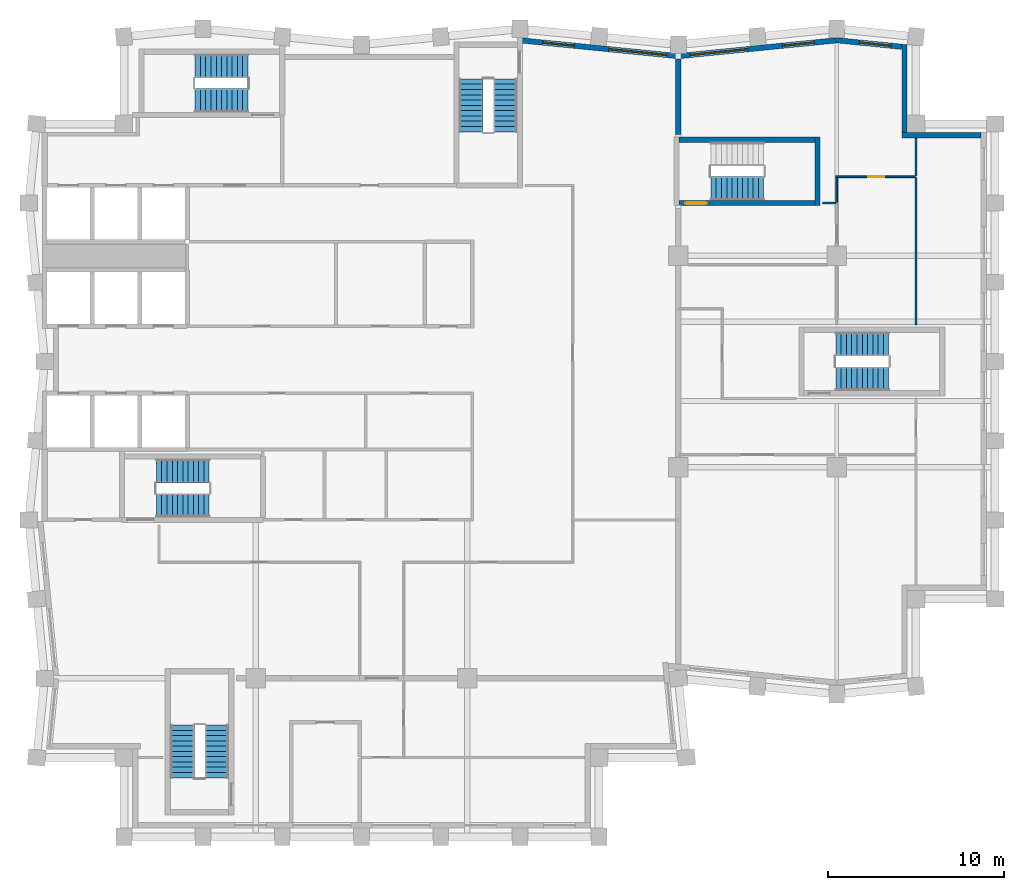
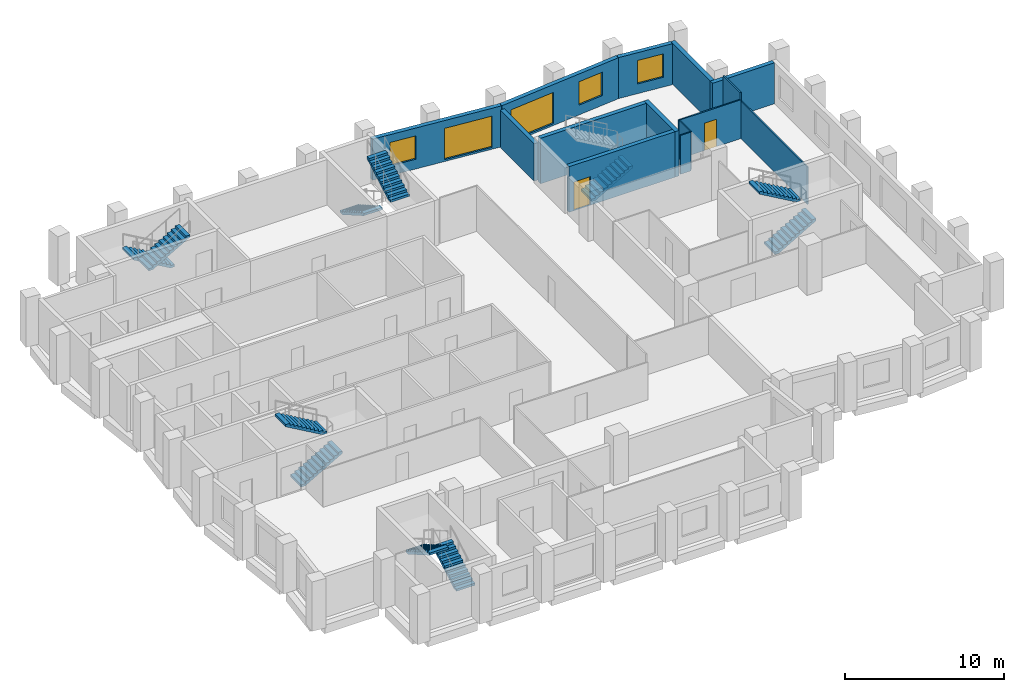
# One storey, part 6 of 8: 14 walls, 11 stair flights, 5 windows, 2 doors, 7 openings, 6 elements without a shape of their own.
"""IFC4 building model written with IfcOpenShell, lengths in metres."""

from ifc_helpers import new_model, si_unit, direction, frame, frame_2d, origin, place, context, subcontext, project, spatial, polyline, rectangle, outline, extrude, material, layer, layer_set, type_object, element, fill, aggregate, save


model = new_model("IFC4")

# Units and contexts
model_context = context("Model", 3, precision=1e-05, world=origin(), true_north=direction((0.0, 1.0)))
body_context = subcontext(model_context, "Body", "Model", "MODEL_VIEW")
ifc_project = project(units=[si_unit("LENGTHUNIT", "METRE"), si_unit("AREAUNIT", "SQUARE_METRE"), si_unit("VOLUMEUNIT", "CUBIC_METRE"), si_unit("PLANEANGLEUNIT", "RADIAN"), si_unit("MASSUNIT", "GRAM", prefix="KILO")], contexts=[model_context])

# Site, building, storey
site_placement = place(None, origin())
site = spatial("IfcSite", under=ifc_project, at=site_placement, CompositionType="ELEMENT")
building_placement = place(site_placement, origin())
building = spatial("IfcBuilding", under=site, at=building_placement, Name="Brondeck Convention Tower", CompositionType="ELEMENT")
storey_placement = place(building_placement, frame((0.0, 0.0, 233.0)))
storey = spatial("IfcBuildingStorey", under=building, at=storey_placement, Name="L57", CompositionType="ELEMENT", Elevation=233.0)

# Walls
ifc_material_1 = material(Name="Concrete compartment wall C30/37", Category="concrete")
ifc_layer_1 = layer(ifc_material_1, 0.300048828125)
ifc_layer_set_1 = layer_set([ifc_layer_1], Name="Compartment wall 300")
wall_type_1 = type_object("IfcWallType", Name="Compartment wall 300", PredefinedType="PARTITIONING", material=ifc_layer_set_1)
wall_1_placement = place(storey_placement, frame((36.0, 57.89990234375, 0.0), z_axis=(0.0, 0.0, 1.0), x_axis=(0.0, 1.0, 0.0)))
element("IfcWall", 1, at=wall_1_placement, inside=storey, type_object=wall_type_1, Name="FLR-L57-W049", PredefinedType="PARTITIONING", context=body_context, shape_type="SweptSolid", body=[
    extrude(rectangle(XDim=4.2763671875, YDim=0.300048828125, at=frame_2d((2.13818359375, 0.0))), origin(), (0.0, 0.0, 1.0), 2.8798828125),
])
ifc_material_2 = material(Name="Precast concrete C50/60 bronze finish", Category="concrete")
ifc_layer_2 = layer(ifc_material_2, 0.070068359375, Name="Bronze precast facing")
ifc_material_3 = material(Name="Mineral wool")
ifc_layer_3 = layer(ifc_material_3, 0.159912109375, Name="Insulation")
ifc_material_4 = material(Name="Concrete C35/45", Category="concrete")
ifc_layer_4 = layer(ifc_material_4, 0.070068359375, Name="Backing")
ifc_layer_set_2 = layer_set([ifc_layer_2, ifc_layer_3, ifc_layer_4], Name="External infill wall, precast concrete C50/60 bronze facing")
wall_type_2 = type_object("IfcWallType", Name="External infill wall, precast concrete C50/60 bronze facing", PredefinedType="SOLIDWALL", material=ifc_layer_set_2)
wall_2_placement = place(storey_placement, frame((48.699951171875, 57.85009765625, 0.0), z_axis=(0.0, 0.0, 1.0), x_axis=(1.0, 0.0, 0.0)))
element("IfcWall", 2, at=wall_2_placement, inside=storey, type_object=wall_type_2, Name="ENV-EW-L57-P2-NC-NEA54-01", PredefinedType="SOLIDWALL", context=body_context, shape_type="SweptSolid", body=[
    extrude(rectangle(XDim=4.501953125, YDim=0.300048828125, at=frame_2d((2.2509765625, 0.0))), origin(), (0.0, 0.0, 1.0), 3.14990234375),
])
wall_3_placement = place(storey_placement, frame((48.85009765625, 62.99755859375, 0.0), z_axis=(0.0, 0.0, 1.0), x_axis=(0.0, -1.0, 0.0)))
element("IfcWall", 3, at=wall_3_placement, inside=storey, type_object=wall_type_2, Name="ENV-EW-L57-P2-NC-NEA54-02", PredefinedType="SOLIDWALL", context=body_context, shape_type="SweptSolid", body=[
    extrude(rectangle(XDim=4.99951171875, YDim=0.300048828125, at=frame_2d((2.499755859375, 0.0))), origin(), (0.0, 0.0, 1.0), 3.14990234375),
])

# Wall, opening, window
wall_4_placement = place(storey_placement, frame((44.985107421875, 63.248291015625, 0.0), z_axis=(0.0, 0.0, 1.0), x_axis=(0.995037837869, -0.099497242219, 0.0)))
wall_4 = element("IfcWall", 4, at=wall_4_placement, inside=storey, type_object=wall_type_2, Name="ENV-EW-L57-P2-A-N-10", PredefinedType="SOLIDWALL", context=body_context, shape_type="SweptSolid", body=[
    extrude(rectangle(XDim=3.732177734375, YDim=0.300048828125, at=frame_2d((1.8662109375, 0.0))), origin(), (0.0, 0.0, 1.0), 3.14990234375),
])
opening_1_placement = place(wall_4_placement, frame((1.311279296875, 0.0, 0.75)))
opening_1 = element("IfcOpeningElement", 5, at=opening_1_placement, cuts=wall_4, Name="Opening W10", PredefinedType="OPENING", context=body_context, shape_type="SweptSolid", body=[
    extrude(rectangle(XDim=1.800048828125, YDim=1.800048828125, at=frame_2d((0.89990234375, 0.89990234375))), frame((0.0, 0.159912109375, 0.0), z_axis=(0.0, -1.0, 0.0), x_axis=(1.0, 0.0, 0.0)), (0.0, 0.0, 1.0), 0.320068359375),
])
ifc_material_5 = material(Name="Bronze tinted double glazing", Category="glass")
window_type_1 = type_object("IfcWindowType", Name="Punched window, bronze tinted", PartitioningType="SINGLE_PANEL", PredefinedType="WINDOW", material=ifc_material_5)
window_1_placement = place(opening_1_placement, origin())
window_1 = element("IfcWindow", 6, at=window_1_placement, inside=storey, type_object=window_type_1, Name="ENV-WN-L57-P2-A-N-10", OverallHeight=1.800048828125, OverallWidth=1.800048828125, PartitioningType="SINGLE_PANEL", PredefinedType="WINDOW", context=body_context, shape_type="SweptSolid", body=[
    extrude(rectangle(XDim=1.800048828125, YDim=1.800048828125, at=frame_2d((0.89990234375, 0.89990234375))), frame((0.0, 0.030029296875, 0.0), z_axis=(0.0, -1.0, 0.0), x_axis=(1.0, 0.0, 0.0)), (0.0, 0.0, 1.0), 0.06005859375),
])
fill(opening_1, window_1)

# Wall, openings, windows
wall_5_placement = place(storey_placement, frame((35.985107421875, 62.34521484375, 0.0), z_axis=(0.0, 0.0, 1.0), x_axis=(0.995035316196, 0.099522457379, 0.0)))
wall_5 = element("IfcWall", 7, at=wall_5_placement, inside=storey, type_object=wall_type_2, Name="ENV-EW-L57-P2-A-N-09", PredefinedType="SOLIDWALL", context=body_context, shape_type="SweptSolid", body=[
    extrude(rectangle(XDim=9.030029296875, YDim=0.300048828125, at=frame_2d((4.51513671875, 0.0))), origin(), (0.0, 0.0, 1.0), 3.14990234375),
])
opening_2_placement = place(wall_5_placement, frame((0.691162109375, 0.0, 0.14990234375)))
opening_2 = element("IfcOpeningElement", 8, at=opening_2_placement, cuts=wall_5, Name="Opening W9", PredefinedType="OPENING", context=body_context, shape_type="SweptSolid", body=[
    extrude(rectangle(XDim=3.300048828125, YDim=2.39990234375, at=frame_2d((1.64990234375, 1.199951171875))), frame((0.0, 0.159912109375, 0.0), z_axis=(0.0, -1.0, 0.0), x_axis=(1.0, 0.0, 0.0)), (0.0, 0.0, 1.0), 0.320068359375),
])
opening_3_placement = place(wall_5_placement, frame((5.963623046875, 0.0, 0.75)))
opening_3 = element("IfcOpeningElement", 9, at=opening_3_placement, cuts=wall_5, Name="Opening W10", PredefinedType="OPENING", context=body_context, shape_type="SweptSolid", body=[
    extrude(rectangle(XDim=1.800048828125, YDim=1.800048828125, at=frame_2d((0.89990234375, 0.89990234375))), frame((0.0, 0.159912109375, 0.0), z_axis=(0.0, -1.0, 0.0), x_axis=(1.0, 0.0, 0.0)), (0.0, 0.0, 1.0), 0.320068359375),
])
window_type_2 = type_object("IfcWindowType", Name="Glazed flute window, bronze tinted", PartitioningType="SINGLE_PANEL", PredefinedType="WINDOW", material=ifc_material_5)
window_2_placement = place(opening_2_placement, origin())
window_2 = element("IfcWindow", 10, at=window_2_placement, inside=storey, type_object=window_type_2, Name="ENV-WN-L57-P2-A-N-08", OverallHeight=2.39990234375, OverallWidth=3.300048828125, PartitioningType="SINGLE_PANEL", PredefinedType="WINDOW", context=body_context, shape_type="SweptSolid", body=[
    extrude(rectangle(XDim=3.300048828125, YDim=2.39990234375, at=frame_2d((1.64990234375, 1.199951171875))), frame((0.0, 0.030029296875, 0.0), z_axis=(0.0, -1.0, 0.0), x_axis=(1.0, 0.0, 0.0)), (0.0, 0.0, 1.0), 0.06005859375),
])
fill(opening_2, window_2)
window_3_placement = place(opening_3_placement, origin())
window_3 = element("IfcWindow", 11, at=window_3_placement, inside=storey, type_object=window_type_1, Name="ENV-WN-L57-P2-A-N-09", OverallHeight=1.800048828125, OverallWidth=1.800048828125, PartitioningType="SINGLE_PANEL", PredefinedType="WINDOW", context=body_context, shape_type="SweptSolid", body=[
    extrude(rectangle(XDim=1.800048828125, YDim=1.800048828125, at=frame_2d((0.89990234375, 0.89990234375))), frame((0.0, 0.030029296875, 0.0), z_axis=(0.0, -1.0, 0.0), x_axis=(1.0, 0.0, 0.0)), (0.0, 0.0, 1.0), 0.06005859375),
])
fill(opening_3, window_3)

wall_6_placement = place(storey_placement, frame((27.084716796875, 63.23828125, 0.0), z_axis=(0.0, 0.0, 1.0), x_axis=(0.995035836657, -0.099517253618, 0.0)))
wall_6 = element("IfcWall", 12, at=wall_6_placement, inside=storey, type_object=wall_type_2, Name="ENV-EW-L57-P2-A-N-07", PredefinedType="SOLIDWALL", context=body_context, shape_type="SweptSolid", body=[
    extrude(rectangle(XDim=8.929931640625, YDim=0.300048828125, at=frame_2d((4.46484375, 0.0))), origin(), (0.0, 0.0, 1.0), 3.14990234375),
])
opening_4_placement = place(wall_6_placement, frame((1.211181640625, 0.0, 0.75)))
opening_4 = element("IfcOpeningElement", 13, at=opening_4_placement, cuts=wall_6, Name="Opening W10", PredefinedType="OPENING", context=body_context, shape_type="SweptSolid", body=[
    extrude(rectangle(XDim=1.800048828125, YDim=1.800048828125, at=frame_2d((0.89990234375, 0.89990234375))), frame((0.0, 0.159912109375, 0.0), z_axis=(0.0, -1.0, 0.0), x_axis=(1.0, 0.0, 0.0)), (0.0, 0.0, 1.0), 0.320068359375),
])
opening_5_placement = place(wall_6_placement, frame((4.983642578125, 0.0, 0.14990234375)))
opening_5 = element("IfcOpeningElement", 14, at=opening_5_placement, cuts=wall_6, Name="Opening W9", PredefinedType="OPENING", context=body_context, shape_type="SweptSolid", body=[
    extrude(rectangle(XDim=3.300048828125, YDim=2.39990234375, at=frame_2d((1.64990234375, 1.199951171875))), frame((0.0, 0.159912109375, 0.0), z_axis=(0.0, -1.0, 0.0), x_axis=(1.0, 0.0, 0.0)), (0.0, 0.0, 1.0), 0.320068359375),
])
window_4_placement = place(opening_5_placement, origin())
window_4 = element("IfcWindow", 15, at=window_4_placement, inside=storey, type_object=window_type_2, Name="ENV-WN-L57-P2-A-N-07", OverallHeight=2.39990234375, OverallWidth=3.300048828125, PartitioningType="SINGLE_PANEL", PredefinedType="WINDOW", context=body_context, shape_type="SweptSolid", body=[
    extrude(rectangle(XDim=3.300048828125, YDim=2.39990234375, at=frame_2d((1.64990234375, 1.199951171875))), frame((0.0, 0.030029296875, 0.0), z_axis=(0.0, -1.0, 0.0), x_axis=(1.0, 0.0, 0.0)), (0.0, 0.0, 1.0), 0.06005859375),
])
fill(opening_5, window_4)
window_5_placement = place(opening_4_placement, origin())
window_5 = element("IfcWindow", 16, at=window_5_placement, inside=storey, type_object=window_type_1, Name="ENV-WN-L57-P2-A-N-06", OverallHeight=1.800048828125, OverallWidth=1.800048828125, PartitioningType="SINGLE_PANEL", PredefinedType="WINDOW", context=body_context, shape_type="SweptSolid", body=[
    extrude(rectangle(XDim=1.800048828125, YDim=1.800048828125, at=frame_2d((0.89990234375, 0.89990234375))), frame((0.0, 0.030029296875, 0.0), z_axis=(0.0, -1.0, 0.0), x_axis=(1.0, 0.0, 0.0)), (0.0, 0.0, 1.0), 0.06005859375),
])
fill(opening_4, window_5)

# Walls
ifc_material_6 = material(Name="Gypsum board partition on steel studs", Category="steel")
ifc_layer_5 = layer(ifc_material_6, 0.10009765625)
ifc_layer_set_3 = layer_set([ifc_layer_5], Name="Room partition 100")
wall_type_3 = type_object("IfcWallType", Name="Room partition 100", PredefinedType="PARTITIONING", material=ifc_layer_set_3)
wall_7_placement = place(storey_placement, frame((49.5, 47.10009765625, 0.0), z_axis=(0.0, 0.0, 1.0), x_axis=(0.0, 1.0, 0.0)))
element("IfcWall", 17, at=wall_7_placement, inside=storey, type_object=wall_type_3, Name="FLR-L57-W035", PredefinedType="PARTITIONING", context=body_context, shape_type="SweptSolid", body=[
    extrude(rectangle(XDim=8.349853515625, YDim=0.10009765625, at=frame_2d((4.1748046875, 0.0))), origin(), (0.0, 0.0, 1.0), 2.8798828125),
])
wall_8_placement = place(storey_placement, frame((44.199951171875, 54.0, 0.0), z_axis=(0.0, 0.0, 1.0), x_axis=(1.0, 0.0, 0.0)))
element("IfcWall", 18, at=wall_8_placement, inside=storey, type_object=wall_type_3, Name="FLR-L57-W043", PredefinedType="PARTITIONING", context=body_context, shape_type="SweptSolid", body=[
    extrude(rectangle(XDim=0.75, YDim=0.10009765625, at=frame_2d((0.375, 0.0))), origin(), (0.0, 0.0, 1.0), 2.97998046875),
])
wall_9_placement = place(storey_placement, frame((45.0, 54.050048828125, 0.0), z_axis=(0.0, 0.0, 1.0), x_axis=(0.0, 1.0, 0.0)))
element("IfcWall", 19, at=wall_9_placement, inside=storey, type_object=wall_type_3, Name="FLR-L57-W044", PredefinedType="PARTITIONING", context=body_context, shape_type="SweptSolid", body=[
    extrude(rectangle(XDim=1.39990234375, YDim=0.10009765625, at=frame_2d((0.699951171875, 0.0))), origin(), (0.0, 0.0, 1.0), 2.97998046875),
])

# Wall, opening, door
wall_10_placement = place(storey_placement, frame((44.949951171875, 55.5, 0.0), z_axis=(0.0, 0.0, 1.0), x_axis=(1.0, 0.0, 0.0)))
wall_10 = element("IfcWall", 20, at=wall_10_placement, inside=storey, type_object=wall_type_3, Name="FLR-L57-W047", PredefinedType="PARTITIONING", context=body_context, shape_type="SweptSolid", body=[
    extrude(rectangle(XDim=4.5, YDim=0.10009765625, at=frame_2d((2.25, 0.0))), origin(), (0.0, 0.0, 1.0), 2.97998046875),
])
opening_6_placement = place(wall_10_placement, frame((1.85009765625, 0.0, 0.0)))
opening_6 = element("IfcOpeningElement", 21, at=opening_6_placement, cuts=wall_10, Name="Opening OF-N-006", PredefinedType="OPENING", context=body_context, shape_type="SweptSolid", body=[
    extrude(rectangle(XDim=0.89990234375, YDim=2.10009765625, at=frame_2d((0.449951171875, 1.050048828125))), frame((0.0, 0.06005859375, 0.0), z_axis=(0.0, -1.0, 0.0), x_axis=(1.0, 0.0, 0.0)), (0.0, 0.0, 1.0), 0.1201171875),
])
ifc_material_7 = material(Name="Solid timber door leaf", Category="wood")
door_type_1 = type_object("IfcDoorType", Name="Single door 900", OperationType="NOTDEFINED", PredefinedType="DOOR", material=ifc_material_7)
door_1_placement = place(opening_6_placement, origin())
door_1 = element("IfcDoor", 22, at=door_1_placement, inside=storey, type_object=door_type_1, Name="Door OF-N-006", OperationType="SINGLE_SWING_LEFT", OverallHeight=2.10009765625, OverallWidth=0.89990234375, PredefinedType="DOOR", context=body_context, shape_type="SweptSolid", body=[
    extrude(rectangle(XDim=0.89990234375, YDim=2.10009765625, at=frame_2d((0.449951171875, 1.050048828125))), frame((0.0, 0.02490234375, 0.0), z_axis=(0.0, -1.0, 0.0), x_axis=(1.0, 0.0, 0.0)), (0.0, 0.0, 1.0), 0.050048828125),
])
fill(opening_6, door_1)

# Wall
wall_11_placement = place(storey_placement, frame((49.5, 55.550048828125, 0.0), z_axis=(0.0, 0.0, 1.0), x_axis=(0.0, 1.0, 0.0)))
element("IfcWall", 23, at=wall_11_placement, inside=storey, type_object=wall_type_3, Name="FLR-L57-W048", PredefinedType="PARTITIONING", context=body_context, shape_type="SweptSolid", body=[
    extrude(rectangle(XDim=2.1298828125, YDim=0.10009765625, at=frame_2d((1.06494140625, 0.0))), origin(), (0.0, 0.0, 1.0), 3.47998046875),
])

# Wall, opening, door
ifc_material_8 = material(Name="Concrete C50/60", Category="concrete")
ifc_layer_6 = layer(ifc_material_8, 0.300048828125)
ifc_layer_set_4 = layer_set([ifc_layer_6], Name="Stair enclosure wall 300 Concrete C50/60")
wall_type_4 = type_object("IfcWallType", Name="Stair enclosure wall 300 Concrete C50/60", PredefinedType="SHEAR", material=ifc_layer_set_4)
wall_12_placement = place(storey_placement, frame((36.050048828125, 54.0, 0.0), z_axis=(0.0, 0.0, 1.0), x_axis=(1.0, 0.0, 0.0)))
wall_12 = element("IfcWall", 24, at=wall_12_placement, inside=storey, type_object=wall_type_4, Name="L57 core wall", PredefinedType="SHEAR", context=body_context, shape_type="SweptSolid", body=[
    extrude(rectangle(XDim=7.699951171875, YDim=0.300048828125, at=frame_2d((3.85009765625, 0.0))), origin(), (0.0, 0.0, 1.0), 3.5),
])
opening_7_placement = place(wall_12_placement, frame((0.35009765625, 0.0, 0.0)))
opening_7 = element("IfcOpeningElement", 25, at=opening_7_placement, cuts=wall_12, Name="Opening C31-15", PredefinedType="OPENING", context=body_context, shape_type="SweptSolid", body=[
    extrude(rectangle(XDim=1.199951171875, YDim=2.199951171875, at=frame_2d((0.60009765625, 1.10009765625))), frame((0.0, 0.159912109375, 0.0), z_axis=(0.0, -1.0, 0.0), x_axis=(1.0, 0.0, 0.0)), (0.0, 0.0, 1.0), 0.320068359375),
])
ifc_material_9 = material(Name="Steel fire door", Category="steel")
door_type_2 = type_object("IfcDoorType", Name="Stair door 1200x2200 EI 90", OperationType="NOTDEFINED", PredefinedType="DOOR", material=ifc_material_9)
door_2_placement = place(opening_7_placement, origin())
door_2 = element("IfcDoor", 26, at=door_2_placement, inside=storey, type_object=door_type_2, Name="L57 Stair door ST-AE", OperationType="SINGLE_SWING_LEFT", OverallHeight=2.199951171875, OverallWidth=1.199951171875, PredefinedType="DOOR", context=body_context, shape_type="SweptSolid", body=[
    extrude(rectangle(XDim=1.199951171875, YDim=2.199951171875, at=frame_2d((0.60009765625, 1.10009765625))), frame((0.0, 0.02490234375, 0.0), z_axis=(0.0, -1.0, 0.0), x_axis=(1.0, 0.0, 0.0)), (0.0, 0.0, 1.0), 0.050048828125),
])
fill(opening_7, door_2)

# Walls
wall_13_placement = place(storey_placement, frame((36.050048828125, 57.60009765625, 0.0), z_axis=(0.0, 0.0, 1.0), x_axis=(1.0, 0.0, 0.0)))
element("IfcWall", 27, at=wall_13_placement, inside=storey, type_object=wall_type_4, Name="L57 core wall", PredefinedType="SHEAR", context=body_context, shape_type="SweptSolid", body=[
    extrude(rectangle(XDim=7.699951171875, YDim=0.300048828125, at=frame_2d((3.85009765625, 0.0))), origin(), (0.0, 0.0, 1.0), 3.5),
])
wall_14_placement = place(storey_placement, frame((43.89990234375, 53.85009765625, 0.0), z_axis=(0.0, 0.0, 1.0), x_axis=(0.0, 1.0, 0.0)))
element("IfcWall", 28, at=wall_14_placement, inside=storey, type_object=wall_type_4, Name="L57 core wall", PredefinedType="SHEAR", context=body_context, shape_type="SweptSolid", body=[
    extrude(rectangle(XDim=3.89990234375, YDim=0.300048828125, at=frame_2d((1.949951171875, 0.0))), origin(), (0.0, 0.0, 1.0), 3.5),
])

# Stair, stair flights
ifc_material_10 = material(Name="Precast concrete C50/60", Category="concrete")
stair_type = type_object("IfcStairType", Name="Core stair 22 risers 172.73 mm riser 300 mm going 1350 wide", PredefinedType="HALF_TURN_STAIR", material=ifc_material_10)
stair_1_placement = place(storey_placement, origin())
stair_1 = element("IfcStair", 29, at=stair_1_placement, inside=storey, type_object=stair_type, Name="ST-1 L57 stair", PredefinedType="HALF_TURN_STAIR")
stair_flight_type = type_object("IfcStairFlightType", Name="Core stair flight 22 risers 172.73 mm riser 300 mm going 1350 wide", PredefinedType="STRAIGHT", material=ifc_material_10)
stair_flight_1_placement = place(storey_placement, frame((6.35009765625, 36.824951171875, 0.0), z_axis=(0.0, 0.0, 1.0), x_axis=(1.0, 0.0, 0.0)))
stair_flight_1 = element("IfcStairFlight", 30, at=stair_flight_1_placement, type_object=stair_flight_type, Name="ST-1 flight 1", NumberOfRisers=11, NumberOfTreads=10, PredefinedType="STRAIGHT", RiserHeight=0.172727273, TreadLength=0.3, context=body_context, shape_type="SweptSolid", body=[
    extrude(outline(polyline([(0.0, 0.0), (0.0, 0.172607421875), (0.300048828125, 0.172607421875), (0.300048828125, 0.345458984375), (0.60009765625, 0.345458984375), (0.60009765625, 0.51806640625), (0.89990234375, 0.51806640625), (0.89990234375, 0.69091796875), (1.199951171875, 0.69091796875), (1.199951171875, 0.863525390625), (1.5, 0.863525390625), (1.5, 1.036376953125), (1.800048828125, 1.036376953125), (1.800048828125, 1.208984375), (2.10009765625, 1.208984375), (2.10009765625, 1.3818359375), (2.39990234375, 1.3818359375), (2.39990234375, 1.554443359375), (2.699951171875, 1.554443359375), (2.699951171875, 1.727294921875), (3.0, 1.727294921875), (3.0, 1.89990234375), (3.0, 1.55419921875), (0.300537109375, 0.0), (0.0, 0.0)])), frame((0.0, 0.675048828125, 0.0), z_axis=(0.0, -1.0, 0.0), x_axis=(1.0, 0.0, 0.0)), (0.0, 0.0, 1.0), 1.35009765625),
])
stair_flight_2_placement = place(storey_placement, frame((9.35009765625, 38.77490234375, 1.89990234375), z_axis=(0.0, 0.0, 1.0), x_axis=(-1.0, 0.0, 0.0)))
stair_flight_2 = element("IfcStairFlight", 31, at=stair_flight_2_placement, type_object=stair_flight_type, Name="ST-1 flight 2", NumberOfRisers=11, NumberOfTreads=10, PredefinedType="STRAIGHT", RiserHeight=0.172727273, TreadLength=0.3, context=body_context, shape_type="SweptSolid", body=[
    extrude(outline(polyline([(0.0, 0.0), (0.0, 0.172607421875), (0.300048828125, 0.172607421875), (0.300048828125, 0.345458984375), (0.60009765625, 0.345458984375), (0.60009765625, 0.51806640625), (0.89990234375, 0.51806640625), (0.89990234375, 0.69091796875), (1.199951171875, 0.69091796875), (1.199951171875, 0.863525390625), (1.5, 0.863525390625), (1.5, 1.036376953125), (1.800048828125, 1.036376953125), (1.800048828125, 1.208984375), (2.10009765625, 1.208984375), (2.10009765625, 1.3818359375), (2.39990234375, 1.3818359375), (2.39990234375, 1.554443359375), (2.699951171875, 1.554443359375), (2.699951171875, 1.727294921875), (3.0, 1.727294921875), (3.0, 1.89990234375), (3.0, 1.55419921875), (0.300537109375, 0.0), (0.0, 0.0)])), frame((0.0, 0.675048828125, 0.0), z_axis=(0.0, -1.0, 0.0), x_axis=(1.0, 0.0, 0.0)), (0.0, 0.0, 1.0), 1.35009765625),
])
aggregate(stair_1, [stair_flight_1, stair_flight_2])

stair_2_placement = place(storey_placement, origin())
stair_2 = element("IfcStair", 32, at=stair_2_placement, inside=storey, type_object=stair_type, Name="ST-2 L57 stair", PredefinedType="HALF_TURN_STAIR")
stair_flight_3_placement = place(storey_placement, frame((24.22509765625, 61.050048828125, 0.0), z_axis=(0.0, 0.0, 1.0), x_axis=(0.0, -1.0, 0.0)))
stair_flight_3 = element("IfcStairFlight", 33, at=stair_flight_3_placement, type_object=stair_flight_type, Name="ST-2 flight 1", NumberOfRisers=11, NumberOfTreads=10, PredefinedType="STRAIGHT", RiserHeight=0.172727273, TreadLength=0.3, context=body_context, shape_type="SweptSolid", body=[
    extrude(outline(polyline([(0.0, 0.0), (0.0, 0.172607421875), (0.300048828125, 0.172607421875), (0.300048828125, 0.345458984375), (0.60009765625, 0.345458984375), (0.60009765625, 0.51806640625), (0.89990234375, 0.51806640625), (0.89990234375, 0.69091796875), (1.199951171875, 0.69091796875), (1.199951171875, 0.863525390625), (1.5, 0.863525390625), (1.5, 1.036376953125), (1.800048828125, 1.036376953125), (1.800048828125, 1.208984375), (2.10009765625, 1.208984375), (2.10009765625, 1.3818359375), (2.39990234375, 1.3818359375), (2.39990234375, 1.554443359375), (2.699951171875, 1.554443359375), (2.699951171875, 1.727294921875), (3.0, 1.727294921875), (3.0, 1.89990234375), (3.0, 1.55419921875), (0.300537109375, 0.0), (0.0, 0.0)])), frame((0.0, 0.675048828125, 0.0), z_axis=(0.0, -1.0, 0.0), x_axis=(1.0, 0.0, 0.0)), (0.0, 0.0, 1.0), 1.35009765625),
])
stair_flight_4_placement = place(storey_placement, frame((26.175048828125, 58.050048828125, 1.89990234375), z_axis=(0.0, 0.0, 1.0), x_axis=(0.0, 1.0, 0.0)))
stair_flight_4 = element("IfcStairFlight", 34, at=stair_flight_4_placement, type_object=stair_flight_type, Name="ST-2 flight 2", NumberOfRisers=11, NumberOfTreads=10, PredefinedType="STRAIGHT", RiserHeight=0.172727273, TreadLength=0.3, context=body_context, shape_type="SweptSolid", body=[
    extrude(outline(polyline([(0.0, 0.0), (0.0, 0.172607421875), (0.300048828125, 0.172607421875), (0.300048828125, 0.345458984375), (0.60009765625, 0.345458984375), (0.60009765625, 0.51806640625), (0.89990234375, 0.51806640625), (0.89990234375, 0.69091796875), (1.199951171875, 0.69091796875), (1.199951171875, 0.863525390625), (1.5, 0.863525390625), (1.5, 1.036376953125), (1.800048828125, 1.036376953125), (1.800048828125, 1.208984375), (2.10009765625, 1.208984375), (2.10009765625, 1.3818359375), (2.39990234375, 1.3818359375), (2.39990234375, 1.554443359375), (2.699951171875, 1.554443359375), (2.699951171875, 1.727294921875), (3.0, 1.727294921875), (3.0, 1.89990234375), (3.0, 1.55419921875), (0.300537109375, 0.0), (0.0, 0.0)])), frame((0.0, 0.675048828125, 0.0), z_axis=(0.0, -1.0, 0.0), x_axis=(1.0, 0.0, 0.0)), (0.0, 0.0, 1.0), 1.35009765625),
])
aggregate(stair_2, [stair_flight_3, stair_flight_4])

stair_3_placement = place(storey_placement, origin())
stair_3 = element("IfcStair", 35, at=stair_3_placement, inside=storey, type_object=stair_type, Name="ST-3 L57 stair", PredefinedType="HALF_TURN_STAIR")
stair_flight_5_placement = place(storey_placement, frame((11.550048828125, 61.77490234375, 0.0), z_axis=(0.0, 0.0, 1.0), x_axis=(-1.0, 0.0, 0.0)))
stair_flight_5 = element("IfcStairFlight", 36, at=stair_flight_5_placement, type_object=stair_flight_type, Name="ST-3 flight 1", NumberOfRisers=11, NumberOfTreads=10, PredefinedType="STRAIGHT", RiserHeight=0.172727273, TreadLength=0.3, context=body_context, shape_type="SweptSolid", body=[
    extrude(outline(polyline([(0.0, 0.0), (0.0, 0.172607421875), (0.300048828125, 0.172607421875), (0.300048828125, 0.345458984375), (0.60009765625, 0.345458984375), (0.60009765625, 0.51806640625), (0.89990234375, 0.51806640625), (0.89990234375, 0.69091796875), (1.199951171875, 0.69091796875), (1.199951171875, 0.863525390625), (1.5, 0.863525390625), (1.5, 1.036376953125), (1.800048828125, 1.036376953125), (1.800048828125, 1.208984375), (2.10009765625, 1.208984375), (2.10009765625, 1.3818359375), (2.39990234375, 1.3818359375), (2.39990234375, 1.554443359375), (2.699951171875, 1.554443359375), (2.699951171875, 1.727294921875), (3.0, 1.727294921875), (3.0, 1.89990234375), (3.0, 1.55419921875), (0.300537109375, 0.0), (0.0, 0.0)])), frame((0.0, 0.675048828125, 0.0), z_axis=(0.0, -1.0, 0.0), x_axis=(1.0, 0.0, 0.0)), (0.0, 0.0, 1.0), 1.35009765625),
])
stair_flight_6_placement = place(storey_placement, frame((8.550048828125, 59.824951171875, 1.89990234375), z_axis=(0.0, 0.0, 1.0), x_axis=(1.0, 0.0, 0.0)))
stair_flight_6 = element("IfcStairFlight", 37, at=stair_flight_6_placement, type_object=stair_flight_type, Name="ST-3 flight 2", NumberOfRisers=11, NumberOfTreads=10, PredefinedType="STRAIGHT", RiserHeight=0.172727273, TreadLength=0.3, context=body_context, shape_type="SweptSolid", body=[
    extrude(outline(polyline([(0.0, 0.0), (0.0, 0.172607421875), (0.300048828125, 0.172607421875), (0.300048828125, 0.345458984375), (0.60009765625, 0.345458984375), (0.60009765625, 0.51806640625), (0.89990234375, 0.51806640625), (0.89990234375, 0.69091796875), (1.199951171875, 0.69091796875), (1.199951171875, 0.863525390625), (1.5, 0.863525390625), (1.5, 1.036376953125), (1.800048828125, 1.036376953125), (1.800048828125, 1.208984375), (2.10009765625, 1.208984375), (2.10009765625, 1.3818359375), (2.39990234375, 1.3818359375), (2.39990234375, 1.554443359375), (2.699951171875, 1.554443359375), (2.699951171875, 1.727294921875), (3.0, 1.727294921875), (3.0, 1.89990234375), (3.0, 1.55419921875), (0.300537109375, 0.0), (0.0, 0.0)])), frame((0.0, 0.675048828125, 0.0), z_axis=(0.0, -1.0, 0.0), x_axis=(1.0, 0.0, 0.0)), (0.0, 0.0, 1.0), 1.35009765625),
])
aggregate(stair_3, [stair_flight_5, stair_flight_6])

# Stair, stair flight
stair_4_placement = place(storey_placement, origin())
stair_4 = element("IfcStair", 38, at=stair_4_placement, inside=storey, type_object=stair_type, Name="ST-AE L57 stair", PredefinedType="HALF_TURN_STAIR")
stair_flight_7_placement = place(storey_placement, frame((37.85009765625, 54.824951171875, 0.0), z_axis=(0.0, 0.0, 1.0), x_axis=(1.0, 0.0, 0.0)))
stair_flight_7 = element("IfcStairFlight", 39, at=stair_flight_7_placement, type_object=stair_flight_type, Name="ST-AE flight 1", NumberOfRisers=11, NumberOfTreads=10, PredefinedType="STRAIGHT", RiserHeight=0.172727273, TreadLength=0.3, context=body_context, shape_type="SweptSolid", body=[
    extrude(outline(polyline([(0.0, 0.0), (0.0, 0.172607421875), (0.300048828125, 0.172607421875), (0.300048828125, 0.345458984375), (0.60009765625, 0.345458984375), (0.60009765625, 0.51806640625), (0.89990234375, 0.51806640625), (0.89990234375, 0.69091796875), (1.199951171875, 0.69091796875), (1.199951171875, 0.863525390625), (1.5, 0.863525390625), (1.5, 1.036376953125), (1.800048828125, 1.036376953125), (1.800048828125, 1.208984375), (2.10009765625, 1.208984375), (2.10009765625, 1.3818359375), (2.39990234375, 1.3818359375), (2.39990234375, 1.554443359375), (2.699951171875, 1.554443359375), (2.699951171875, 1.727294921875), (3.0, 1.727294921875), (3.0, 1.89990234375), (3.0, 1.55419921875), (0.300537109375, 0.0), (0.0, 0.0)])), frame((0.0, 0.675048828125, 0.0), z_axis=(0.0, -1.0, 0.0), x_axis=(1.0, 0.0, 0.0)), (0.0, 0.0, 1.0), 1.35009765625),
])
aggregate(stair_4, [stair_flight_7])

# Stair, stair flights
stair_5_placement = place(storey_placement, origin())
stair_5 = element("IfcStair", 40, at=stair_5_placement, inside=storey, type_object=stair_type, Name="ST-BE L57 stair", PredefinedType="HALF_TURN_STAIR")
stair_flight_8_placement = place(storey_placement, frame((9.77490234375, 21.35009765625, 0.0), z_axis=(0.0, 0.0, 1.0), x_axis=(0.0, 1.0, 0.0)))
stair_flight_8 = element("IfcStairFlight", 41, at=stair_flight_8_placement, type_object=stair_flight_type, Name="ST-BE flight 1", NumberOfRisers=11, NumberOfTreads=10, PredefinedType="STRAIGHT", RiserHeight=0.172727273, TreadLength=0.3, context=body_context, shape_type="SweptSolid", body=[
    extrude(outline(polyline([(0.0, 0.0), (0.0, 0.172607421875), (0.300048828125, 0.172607421875), (0.300048828125, 0.345458984375), (0.60009765625, 0.345458984375), (0.60009765625, 0.51806640625), (0.89990234375, 0.51806640625), (0.89990234375, 0.69091796875), (1.199951171875, 0.69091796875), (1.199951171875, 0.863525390625), (1.5, 0.863525390625), (1.5, 1.036376953125), (1.800048828125, 1.036376953125), (1.800048828125, 1.208984375), (2.10009765625, 1.208984375), (2.10009765625, 1.3818359375), (2.39990234375, 1.3818359375), (2.39990234375, 1.554443359375), (2.699951171875, 1.554443359375), (2.699951171875, 1.727294921875), (3.0, 1.727294921875), (3.0, 1.89990234375), (3.0, 1.55419921875), (0.300537109375, 0.0), (0.0, 0.0)])), frame((0.0, 0.675048828125, 0.0), z_axis=(0.0, -1.0, 0.0), x_axis=(1.0, 0.0, 0.0)), (0.0, 0.0, 1.0), 1.35009765625),
])
stair_flight_9_placement = place(storey_placement, frame((7.824951171875, 24.35009765625, 1.89990234375), z_axis=(0.0, 0.0, 1.0), x_axis=(0.0, -1.0, 0.0)))
stair_flight_9 = element("IfcStairFlight", 42, at=stair_flight_9_placement, type_object=stair_flight_type, Name="ST-BE flight 2", NumberOfRisers=11, NumberOfTreads=10, PredefinedType="STRAIGHT", RiserHeight=0.172727273, TreadLength=0.3, context=body_context, shape_type="SweptSolid", body=[
    extrude(outline(polyline([(0.0, 0.0), (0.0, 0.172607421875), (0.300048828125, 0.172607421875), (0.300048828125, 0.345458984375), (0.60009765625, 0.345458984375), (0.60009765625, 0.51806640625), (0.89990234375, 0.51806640625), (0.89990234375, 0.69091796875), (1.199951171875, 0.69091796875), (1.199951171875, 0.863525390625), (1.5, 0.863525390625), (1.5, 1.036376953125), (1.800048828125, 1.036376953125), (1.800048828125, 1.208984375), (2.10009765625, 1.208984375), (2.10009765625, 1.3818359375), (2.39990234375, 1.3818359375), (2.39990234375, 1.554443359375), (2.699951171875, 1.554443359375), (2.699951171875, 1.727294921875), (3.0, 1.727294921875), (3.0, 1.89990234375), (3.0, 1.55419921875), (0.300537109375, 0.0), (0.0, 0.0)])), frame((0.0, 0.675048828125, 0.0), z_axis=(0.0, -1.0, 0.0), x_axis=(1.0, 0.0, 0.0)), (0.0, 0.0, 1.0), 1.35009765625),
])
aggregate(stair_5, [stair_flight_8, stair_flight_9])

stair_6_placement = place(storey_placement, origin())
stair_6 = element("IfcStair", 43, at=stair_6_placement, inside=storey, type_object=stair_type, Name="ST-AF L57 stair", PredefinedType="HALF_TURN_STAIR")
stair_flight_10_placement = place(storey_placement, frame((44.949951171875, 44.02490234375, 0.0), z_axis=(0.0, 0.0, 1.0), x_axis=(1.0, 0.0, 0.0)))
stair_flight_10 = element("IfcStairFlight", 44, at=stair_flight_10_placement, type_object=stair_flight_type, Name="ST-AF flight 1", NumberOfRisers=11, NumberOfTreads=10, PredefinedType="STRAIGHT", RiserHeight=0.172727273, TreadLength=0.3, context=body_context, shape_type="SweptSolid", body=[
    extrude(outline(polyline([(0.0, 0.0), (0.0, 0.172607421875), (0.300048828125, 0.172607421875), (0.300048828125, 0.345458984375), (0.60009765625, 0.345458984375), (0.60009765625, 0.51806640625), (0.89990234375, 0.51806640625), (0.89990234375, 0.69091796875), (1.199951171875, 0.69091796875), (1.199951171875, 0.863525390625), (1.5, 0.863525390625), (1.5, 1.036376953125), (1.800048828125, 1.036376953125), (1.800048828125, 1.208984375), (2.10009765625, 1.208984375), (2.10009765625, 1.3818359375), (2.39990234375, 1.3818359375), (2.39990234375, 1.554443359375), (2.699951171875, 1.554443359375), (2.699951171875, 1.727294921875), (3.0, 1.727294921875), (3.0, 1.89990234375), (3.0, 1.55419921875), (0.300537109375, 0.0), (0.0, 0.0)])), frame((0.0, 0.675048828125, 0.0), z_axis=(0.0, -1.0, 0.0), x_axis=(1.0, 0.0, 0.0)), (0.0, 0.0, 1.0), 1.35009765625),
])
stair_flight_11_placement = place(storey_placement, frame((47.949951171875, 45.97509765625, 1.89990234375), z_axis=(0.0, 0.0, 1.0), x_axis=(-1.0, 0.0, 0.0)))
stair_flight_11 = element("IfcStairFlight", 45, at=stair_flight_11_placement, type_object=stair_flight_type, Name="ST-AF flight 2", NumberOfRisers=11, NumberOfTreads=10, PredefinedType="STRAIGHT", RiserHeight=0.172727273, TreadLength=0.3, context=body_context, shape_type="SweptSolid", body=[
    extrude(outline(polyline([(0.0, 0.0), (0.0, 0.172607421875), (0.300048828125, 0.172607421875), (0.300048828125, 0.345458984375), (0.60009765625, 0.345458984375), (0.60009765625, 0.51806640625), (0.89990234375, 0.51806640625), (0.89990234375, 0.69091796875), (1.199951171875, 0.69091796875), (1.199951171875, 0.863525390625), (1.5, 0.863525390625), (1.5, 1.036376953125), (1.800048828125, 1.036376953125), (1.800048828125, 1.208984375), (2.10009765625, 1.208984375), (2.10009765625, 1.3818359375), (2.39990234375, 1.3818359375), (2.39990234375, 1.554443359375), (2.699951171875, 1.554443359375), (2.699951171875, 1.727294921875), (3.0, 1.727294921875), (3.0, 1.89990234375), (3.0, 1.55419921875), (0.300537109375, 0.0), (0.0, 0.0)])), frame((0.0, 0.675048828125, 0.0), z_axis=(0.0, -1.0, 0.0), x_axis=(1.0, 0.0, 0.0)), (0.0, 0.0, 1.0), 1.35009765625),
])
aggregate(stair_6, [stair_flight_10, stair_flight_11])

save(model, "model.ifc")
